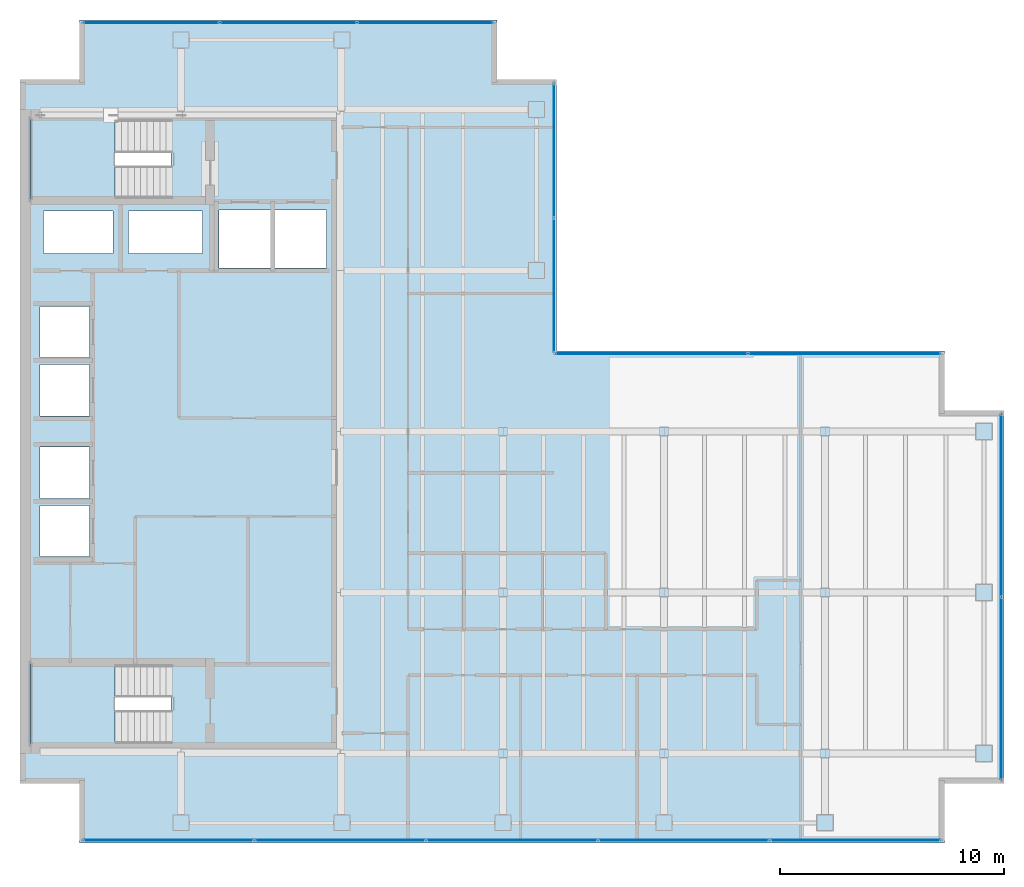
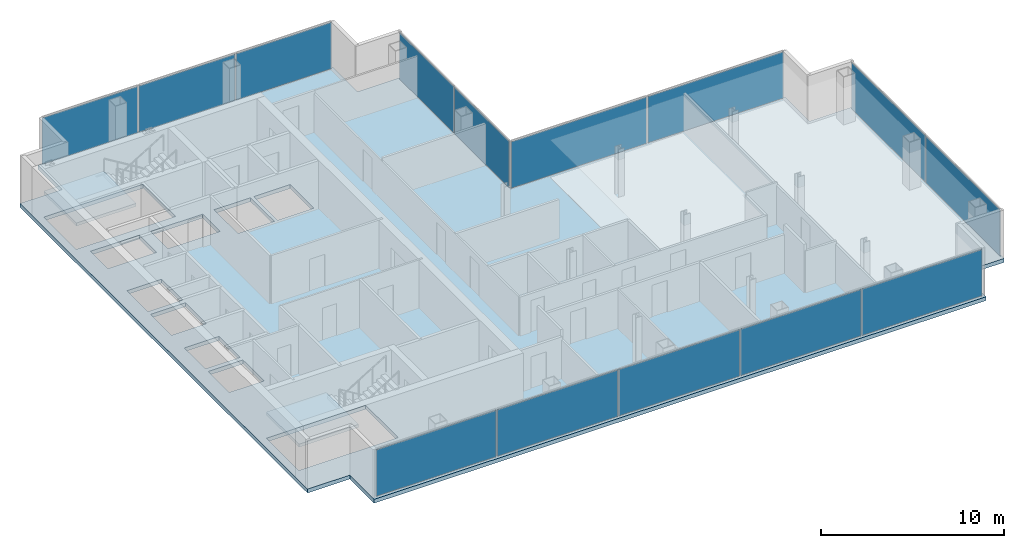
# One storey, part 19 of 23: 14 plates, 3 slabs, 10 openings, 7 elements without a shape of their own.
"""IFC4 building model written with IfcOpenShell, lengths in metres."""

from ifc_helpers import new_model, si_unit, direction, frame, origin, origin_2d, place, context, subcontext, project, spatial, polyline, rectangle, outline, extrude, material, layer, layer_set, type_object, element, aggregate, save


model = new_model("IFC4")

# Units and contexts
model_context = context("Model", 3, precision=1e-05, world=origin(), true_north=direction((0.0, 1.0)))
body_context = subcontext(model_context, "Body", "Model", "MODEL_VIEW")
ifc_project = project(units=[si_unit("LENGTHUNIT", "METRE"), si_unit("AREAUNIT", "SQUARE_METRE"), si_unit("VOLUMEUNIT", "CUBIC_METRE"), si_unit("PLANEANGLEUNIT", "RADIAN"), si_unit("MASSUNIT", "GRAM", prefix="KILO")], contexts=[model_context])

# Site, building, storey
site_placement = place(None, origin())
site = spatial("IfcSite", under=ifc_project, at=site_placement, CompositionType="ELEMENT")
building_placement = place(site_placement, origin())
building = spatial("IfcBuilding", under=site, at=building_placement, Name="Cobrela Telecom Tower", CompositionType="ELEMENT")
storey_placement = place(building_placement, frame((0.0, 0.0, 218.75)))
storey = spatial("IfcBuildingStorey", under=building, at=storey_placement, Name="L56", CompositionType="ELEMENT", Elevation=218.75)

# Curtain wall, plates
ifc_material_1 = material(Name="Anodized Bronze Aluminium 6063-T6", Category="aluminium")
curtain_wall_type = type_object("IfcCurtainWallType", Name="CW-SYS-OFF-LO", PredefinedType="USERDEFINED", material=ifc_material_1)
curtain_wall_1_placement = place(storey_placement, origin())
curtain_wall_1 = element("IfcCurtainWall", 1, at=curtain_wall_1_placement, inside=storey, type_object=curtain_wall_type, Name="L56 Unitised Bronze Curtain Wall 07", ObjectType="UNITISED CURTAIN WALL", PredefinedType="USERDEFINED")
ifc_material_2 = material(Name="Solar-Control Bronze Low-E Glass", Category="glass")
ifc_layer_1 = layer(ifc_material_2, 0.031982421875)
ifc_layer_set_1 = layer_set([ifc_layer_1], Name="Solar-Control Bronze Low-E Glass")
plate_type = type_object("IfcPlateType", Name="CW-SYS-OFF-LO-PNL", PredefinedType="CURTAIN_PANEL", material=ifc_layer_set_1)
plate_1_placement = place(storey_placement, frame((5.87744140625, 39.8798828125, 0.070068359375), z_axis=(0.0, 0.0, 1.0), x_axis=(1.0, 0.0, 0.0)))
plate_1 = element("IfcPlate", 2, at=plate_1_placement, type_object=plate_type, Name="CW-OFF-LO panel 1.1", PredefinedType="CURTAIN_PANEL", context=body_context, shape_type="SweptSolid", body=[
    extrude(rectangle(XDim=6.034912109375, YDim=0.031982421875, at=origin_2d()), origin(), (0.0, 0.0, 1.0), 3.10009765625),
])
plate_2_placement = place(storey_placement, frame((12.0, 39.8798828125, 0.070068359375), z_axis=(0.0, 0.0, 1.0), x_axis=(1.0, 0.0, 0.0)))
plate_2 = element("IfcPlate", 3, at=plate_2_placement, type_object=plate_type, Name="CW-OFF-LO panel 2.1", PredefinedType="CURTAIN_PANEL", context=body_context, shape_type="SweptSolid", body=[
    extrude(rectangle(XDim=6.070068359375, YDim=0.031982421875, at=origin_2d()), origin(), (0.0, 0.0, 1.0), 3.10009765625),
])
plate_3_placement = place(storey_placement, frame((18.12255859375, 39.8798828125, 0.070068359375), z_axis=(0.0, 0.0, 1.0), x_axis=(1.0, 0.0, 0.0)))
plate_3 = element("IfcPlate", 4, at=plate_3_placement, type_object=plate_type, Name="CW-OFF-LO panel 3.1", PredefinedType="CURTAIN_PANEL", context=body_context, shape_type="SweptSolid", body=[
    extrude(rectangle(XDim=6.034912109375, YDim=0.031982421875, at=origin_2d()), origin(), (0.0, 0.0, 1.0), 3.10009765625),
])
aggregate(curtain_wall_1, [plate_1, plate_2, plate_3])

curtain_wall_2_placement = place(storey_placement, origin())
curtain_wall_2 = element("IfcCurtainWall", 5, at=curtain_wall_2_placement, inside=storey, type_object=curtain_wall_type, Name="L56 Unitised Bronze Curtain Wall 10", ObjectType="UNITISED CURTAIN WALL", PredefinedType="USERDEFINED")
plate_4_placement = place(storey_placement, frame((23.8798828125, 34.159912109375, 0.070068359375), z_axis=(0.0, 0.0, 1.0), x_axis=(0.0, -1.0, 0.0)))
plate_4 = element("IfcPlate", 6, at=plate_4_placement, type_object=plate_type, Name="CW-OFF-LO panel 1.1", PredefinedType="CURTAIN_PANEL", context=body_context, shape_type="SweptSolid", body=[
    extrude(rectangle(XDim=5.9599609375, YDim=0.031982421875, at=origin_2d()), origin(), (0.0, 0.0, 1.0), 3.10009765625),
])
plate_5_placement = place(storey_placement, frame((23.8798828125, 28.1298828125, 0.070068359375), z_axis=(0.0, 0.0, 1.0), x_axis=(0.0, -1.0, 0.0)))
plate_5 = element("IfcPlate", 7, at=plate_5_placement, type_object=plate_type, Name="CW-OFF-LO panel 2.1", PredefinedType="CURTAIN_PANEL", context=body_context, shape_type="SweptSolid", body=[
    extrude(rectangle(XDim=5.9599609375, YDim=0.031982421875, at=origin_2d()), origin(), (0.0, 0.0, 1.0), 3.10009765625),
])
aggregate(curtain_wall_2, [plate_4, plate_5])

curtain_wall_3_placement = place(storey_placement, origin())
curtain_wall_3 = element("IfcCurtainWall", 8, at=curtain_wall_3_placement, inside=storey, type_object=curtain_wall_type, Name="L56 Unitised Bronze Curtain Wall 11", ObjectType="UNITISED CURTAIN WALL", PredefinedType="USERDEFINED")
plate_6_placement = place(storey_placement, frame((28.22998046875, 25.080078125, 0.070068359375), z_axis=(0.0, 0.0, 1.0), x_axis=(1.0, 0.0, 0.0)))
plate_6 = element("IfcPlate", 9, at=plate_6_placement, type_object=plate_type, Name="CW-OFF-LO panel 1.1", PredefinedType="CURTAIN_PANEL", context=body_context, shape_type="SweptSolid", body=[
    extrude(rectangle(XDim=8.56005859375, YDim=0.031982421875, at=origin_2d()), origin(), (0.0, 0.0, 1.0), 3.10009765625),
])
plate_7_placement = place(storey_placement, frame((36.860107421875, 25.080078125, 0.070068359375), z_axis=(0.0, 0.0, 1.0), x_axis=(1.0, 0.0, 0.0)))
plate_7 = element("IfcPlate", 10, at=plate_7_placement, type_object=plate_type, Name="CW-OFF-LO panel 2.1", PredefinedType="CURTAIN_PANEL", context=body_context, shape_type="SweptSolid", body=[
    extrude(rectangle(XDim=8.56005859375, YDim=0.031982421875, at=origin_2d()), origin(), (0.0, 0.0, 1.0), 3.10009765625),
])
aggregate(curtain_wall_3, [plate_6, plate_7])

curtain_wall_4_placement = place(storey_placement, origin())
curtain_wall_4 = element("IfcCurtainWall", 11, at=curtain_wall_4_placement, inside=storey, type_object=curtain_wall_type, Name="L56 Unitised Bronze Curtain Wall 14", ObjectType="UNITISED CURTAIN WALL", PredefinedType="USERDEFINED")
plate_8_placement = place(storey_placement, frame((43.8798828125, 18.28759765625, 0.070068359375), z_axis=(0.0, 0.0, 1.0), x_axis=(0.0, -1.0, 0.0)))
plate_8 = element("IfcPlate", 12, at=plate_8_placement, type_object=plate_type, Name="CW-OFF-LO panel 1.1", PredefinedType="CURTAIN_PANEL", context=body_context, shape_type="SweptSolid", body=[
    extrude(rectangle(XDim=8.10498046875, YDim=0.031982421875, at=origin_2d()), origin(), (0.0, 0.0, 1.0), 3.10009765625),
])
plate_9_placement = place(storey_placement, frame((43.8798828125, 10.112548828125, 0.070068359375), z_axis=(0.0, 0.0, 1.0), x_axis=(0.0, -1.0, 0.0)))
plate_9 = element("IfcPlate", 13, at=plate_9_placement, type_object=plate_type, Name="CW-OFF-LO panel 2.1", PredefinedType="CURTAIN_PANEL", context=body_context, shape_type="SweptSolid", body=[
    extrude(rectangle(XDim=8.10498046875, YDim=0.031982421875, at=origin_2d()), origin(), (0.0, 0.0, 1.0), 3.10009765625),
])
aggregate(curtain_wall_4, [plate_8, plate_9])

curtain_wall_5_placement = place(storey_placement, origin())
curtain_wall_5 = element("IfcCurtainWall", 14, at=curtain_wall_5_placement, inside=storey, type_object=curtain_wall_type, Name="L56 Unitised Bronze Curtain Wall 17", ObjectType="UNITISED CURTAIN WALL", PredefinedType="USERDEFINED")
plate_10_placement = place(storey_placement, frame((37.3505859375, 3.320068359375, 0.070068359375), z_axis=(0.0, 0.0, 1.0), x_axis=(-1.0, 0.0, 0.0)))
plate_10 = element("IfcPlate", 15, at=plate_10_placement, type_object=plate_type, Name="CW-OFF-LO panel 1.1", PredefinedType="CURTAIN_PANEL", context=body_context, shape_type="SweptSolid", body=[
    extrude(rectangle(XDim=7.5791015625, YDim=0.031982421875, at=origin_2d()), origin(), (0.0, 0.0, 1.0), 3.10009765625),
])
plate_11_placement = place(storey_placement, frame((29.68408203125, 3.320068359375, 0.070068359375), z_axis=(0.0, 0.0, 1.0), x_axis=(-1.0, 0.0, 0.0)))
plate_11 = element("IfcPlate", 16, at=plate_11_placement, type_object=plate_type, Name="CW-OFF-LO panel 2.1", PredefinedType="CURTAIN_PANEL", context=body_context, shape_type="SweptSolid", body=[
    extrude(rectangle(XDim=7.614013671875, YDim=0.031982421875, at=origin_2d()), origin(), (0.0, 0.0, 1.0), 3.10009765625),
])
plate_12_placement = place(storey_placement, frame((22.0, 3.320068359375, 0.070068359375), z_axis=(0.0, 0.0, 1.0), x_axis=(-1.0, 0.0, 0.0)))
plate_12 = element("IfcPlate", 17, at=plate_12_placement, type_object=plate_type, Name="CW-OFF-LO panel 3.1", PredefinedType="CURTAIN_PANEL", context=body_context, shape_type="SweptSolid", body=[
    extrude(rectangle(XDim=7.614013671875, YDim=0.031982421875, at=origin_2d()), origin(), (0.0, 0.0, 1.0), 3.10009765625),
])
plate_13_placement = place(storey_placement, frame((14.31591796875, 3.320068359375, 0.070068359375), z_axis=(0.0, 0.0, 1.0), x_axis=(-1.0, 0.0, 0.0)))
plate_13 = element("IfcPlate", 18, at=plate_13_placement, type_object=plate_type, Name="CW-OFF-LO panel 4.1", PredefinedType="CURTAIN_PANEL", context=body_context, shape_type="SweptSolid", body=[
    extrude(rectangle(XDim=7.614013671875, YDim=0.031982421875, at=origin_2d()), origin(), (0.0, 0.0, 1.0), 3.10009765625),
])
plate_14_placement = place(storey_placement, frame((6.6494140625, 3.320068359375, 0.070068359375), z_axis=(0.0, 0.0, 1.0), x_axis=(-1.0, 0.0, 0.0)))
plate_14 = element("IfcPlate", 19, at=plate_14_placement, type_object=plate_type, Name="CW-OFF-LO panel 5.1", PredefinedType="CURTAIN_PANEL", context=body_context, shape_type="SweptSolid", body=[
    extrude(rectangle(XDim=7.5791015625, YDim=0.031982421875, at=origin_2d()), origin(), (0.0, 0.0, 1.0), 3.10009765625),
])
aggregate(curtain_wall_5, [plate_10, plate_11, plate_12, plate_13, plate_14])

# Slab, openings
ifc_material_3 = material(Name="Concrete C40/50", Category="concrete")
ifc_layer_2 = layer(ifc_material_3, 0.260009765625)
ifc_layer_set_2 = layer_set([ifc_layer_2], Name="Concrete C40/50")
slab_type_1 = type_object("IfcSlabType", Name="SLAB-FLR-260", PredefinedType="FLOOR", material=ifc_layer_set_2)
slab_1_placement = place(storey_placement, frame((0.0, 0.0, -0.260009765625)))
slab_1 = element("IfcSlab", 20, at=slab_1_placement, inside=storey, type_object=slab_type_1, Name="L56 Structural Floor Slab", PredefinedType="FLOOR", context=body_context, shape_type="SweptSolid", body=[
    extrude(outline(polyline([(2.669921875, 3.199951171875), (41.330078125, 3.199951171875), (41.330078125, 5.8701171875), (44.0, 5.8701171875), (44.0, 22.530029296875), (41.330078125, 22.530029296875), (41.330078125, 25.199951171875), (24.0, 25.199951171875), (24.0, 37.330078125), (21.330078125, 37.330078125), (21.330078125, 40.0), (2.669921875, 40.0), (2.669921875, 37.330078125), (0.0, 37.330078125), (0.0, 5.8701171875), (2.669921875, 5.8701171875), (2.669921875, 3.199951171875)])), origin(), (0.0, 0.0, 1.0), 0.260009765625),
])
opening_1_placement = place(slab_1_placement, frame((0.0, 0.0, -0.02001953125)))
element("IfcOpeningElement", 21, at=opening_1_placement, cuts=slab_1, Name="Slab Shaft Opening SLAB-L56-MAIN.1", PredefinedType="OPENING", context=body_context, shape_type="SweptSolid", body=[
    extrude(outline(polyline([(8.89990234375, 28.89990234375), (11.199951171875, 28.89990234375), (11.199951171875, 31.5), (8.89990234375, 31.5), (8.89990234375, 28.89990234375)])), origin(), (0.0, 0.0, 1.0), 0.300048828125),
])
opening_2_placement = place(slab_1_placement, frame((0.0, 0.0, -0.02001953125)))
element("IfcOpeningElement", 22, at=opening_2_placement, cuts=slab_1, Name="Slab Shaft Opening SLAB-L56-MAIN.2", PredefinedType="OPENING", context=body_context, shape_type="SweptSolid", body=[
    extrude(outline(polyline([(11.39990234375, 28.89990234375), (13.699951171875, 28.89990234375), (13.699951171875, 31.5), (11.39990234375, 31.5), (11.39990234375, 28.89990234375)])), origin(), (0.0, 0.0, 1.0), 0.300048828125),
])
opening_3_placement = place(slab_1_placement, frame((0.0, 0.0, -0.02001953125)))
element("IfcOpeningElement", 23, at=opening_3_placement, cuts=slab_1, Name="Slab Shaft Opening SLAB-L56-MAIN.3", PredefinedType="OPENING", context=body_context, shape_type="SweptSolid", body=[
    extrude(outline(polyline([(0.89990234375, 16.0), (3.10009765625, 16.0), (3.10009765625, 18.300048828125), (0.89990234375, 18.300048828125), (0.89990234375, 16.0)])), origin(), (0.0, 0.0, 1.0), 0.300048828125),
])
opening_4_placement = place(slab_1_placement, frame((0.0, 0.0, -0.02001953125)))
element("IfcOpeningElement", 24, at=opening_4_placement, cuts=slab_1, Name="Slab Shaft Opening SLAB-L56-MAIN.4", PredefinedType="OPENING", context=body_context, shape_type="SweptSolid", body=[
    extrude(outline(polyline([(0.89990234375, 18.60009765625), (3.10009765625, 18.60009765625), (3.10009765625, 20.89990234375), (0.89990234375, 20.89990234375), (0.89990234375, 18.60009765625)])), origin(), (0.0, 0.0, 1.0), 0.300048828125),
])
opening_5_placement = place(slab_1_placement, frame((0.0, 0.0, -0.02001953125)))
element("IfcOpeningElement", 25, at=opening_5_placement, cuts=slab_1, Name="Slab Shaft Opening SLAB-L56-MAIN.5", PredefinedType="OPENING", context=body_context, shape_type="SweptSolid", body=[
    extrude(outline(polyline([(0.89990234375, 22.300048828125), (3.10009765625, 22.300048828125), (3.10009765625, 24.60009765625), (0.89990234375, 24.60009765625), (0.89990234375, 22.300048828125)])), origin(), (0.0, 0.0, 1.0), 0.300048828125),
])
opening_6_placement = place(slab_1_placement, frame((0.0, 0.0, -0.02001953125)))
element("IfcOpeningElement", 26, at=opening_6_placement, cuts=slab_1, Name="Slab Shaft Opening SLAB-L56-MAIN.6", PredefinedType="OPENING", context=body_context, shape_type="SweptSolid", body=[
    extrude(outline(polyline([(0.89990234375, 24.89990234375), (3.10009765625, 24.89990234375), (3.10009765625, 27.199951171875), (0.89990234375, 27.199951171875), (0.89990234375, 24.89990234375)])), origin(), (0.0, 0.0, 1.0), 0.300048828125),
])
opening_7_placement = place(slab_1_placement, frame((0.0, 0.0, -0.02001953125)))
element("IfcOpeningElement", 27, at=opening_7_placement, cuts=slab_1, Name="Slab Shaft Opening SLAB-L56-MAIN.7", PredefinedType="OPENING", context=body_context, shape_type="SweptSolid", body=[
    extrude(outline(polyline([(1.050048828125, 29.550048828125), (4.14990234375, 29.550048828125), (4.14990234375, 31.449951171875), (1.050048828125, 31.449951171875), (1.050048828125, 29.550048828125)])), origin(), (0.0, 0.0, 1.0), 0.300048828125),
])
opening_8_placement = place(slab_1_placement, frame((0.0, 0.0, -0.02001953125)))
element("IfcOpeningElement", 28, at=opening_8_placement, cuts=slab_1, Name="Slab Shaft Opening SLAB-L56-MAIN.8", PredefinedType="OPENING", context=body_context, shape_type="SweptSolid", body=[
    extrude(outline(polyline([(4.85009765625, 29.550048828125), (8.14990234375, 29.550048828125), (8.14990234375, 31.449951171875), (4.85009765625, 31.449951171875), (4.85009765625, 29.550048828125)])), origin(), (0.0, 0.0, 1.0), 0.300048828125),
])
opening_9_placement = place(slab_1_placement, frame((0.0, 0.0, -0.02001953125)))
element("IfcOpeningElement", 29, at=opening_9_placement, cuts=slab_1, Name="Slab Shaft Opening SLAB-L56-MAIN.9", PredefinedType="OPENING", context=body_context, shape_type="SweptSolid", body=[
    extrude(outline(polyline([(6.7548828125, 35.550048828125), (0.47998046875, 35.550048828125), (0.47998046875, 32.0), (6.7548828125, 32.0), (6.7548828125, 35.550048828125)])), origin(), (0.0, 0.0, 1.0), 0.300048828125),
])
opening_10_placement = place(slab_1_placement, frame((0.0, 0.0, -0.02001953125)))
element("IfcOpeningElement", 30, at=opening_10_placement, cuts=slab_1, Name="Slab Shaft Opening SLAB-L56-MAIN.10", PredefinedType="OPENING", context=body_context, shape_type="SweptSolid", body=[
    extrude(outline(polyline([(6.7548828125, 11.199951171875), (0.47998046875, 11.199951171875), (0.47998046875, 7.64990234375), (6.7548828125, 7.64990234375), (6.7548828125, 11.199951171875)])), origin(), (0.0, 0.0, 1.0), 0.300048828125),
])

# Stair, slab
stair_type = type_object("IfcStairType", Name="STAIR-CORE", PredefinedType="HALF_TURN_STAIR", material=ifc_material_3)
stair_1_placement = place(storey_placement, origin())
stair_1 = element("IfcStair", 31, at=stair_1_placement, inside=storey, type_object=stair_type, Name="L56 Smokeproof Exit Stair ST1", PredefinedType="HALF_TURN_STAIR")
ifc_layer_3 = layer(ifc_material_3, 0.199951171875)
ifc_layer_set_3 = layer_set([ifc_layer_3], Name="Concrete C40/50")
slab_type_2 = type_object("IfcSlabType", Name="SLAB-LAND-200", PredefinedType="LANDING", material=ifc_layer_set_3)
slab_2_placement = place(storey_placement, frame((0.0, 0.0, 1.550048828125)))
slab_2 = element("IfcSlab", 32, at=slab_2_placement, type_object=slab_type_2, Name="ST1 landing 1", PredefinedType="LANDING", context=body_context, shape_type="SweptSolid", body=[
    extrude(outline(polyline([(4.2548828125, 35.550048828125), (0.47998046875, 35.550048828125), (0.47998046875, 32.0), (4.2548828125, 32.0), (4.2548828125, 35.550048828125)])), origin(), (0.0, 0.0, 1.0), 0.199951171875),
])
aggregate(stair_1, [slab_2])

stair_2_placement = place(storey_placement, origin())
stair_2 = element("IfcStair", 33, at=stair_2_placement, inside=storey, type_object=stair_type, Name="L56 Smokeproof Exit Stair ST2", PredefinedType="HALF_TURN_STAIR")
slab_3_placement = place(storey_placement, frame((0.0, 0.0, 1.550048828125)))
slab_3 = element("IfcSlab", 34, at=slab_3_placement, type_object=slab_type_2, Name="ST2 landing 1", PredefinedType="LANDING", context=body_context, shape_type="SweptSolid", body=[
    extrude(outline(polyline([(4.2548828125, 11.199951171875), (0.47998046875, 11.199951171875), (0.47998046875, 7.64990234375), (4.2548828125, 7.64990234375), (4.2548828125, 11.199951171875)])), origin(), (0.0, 0.0, 1.0), 0.199951171875),
])
aggregate(stair_2, [slab_3])

save(model, "model.ifc")
